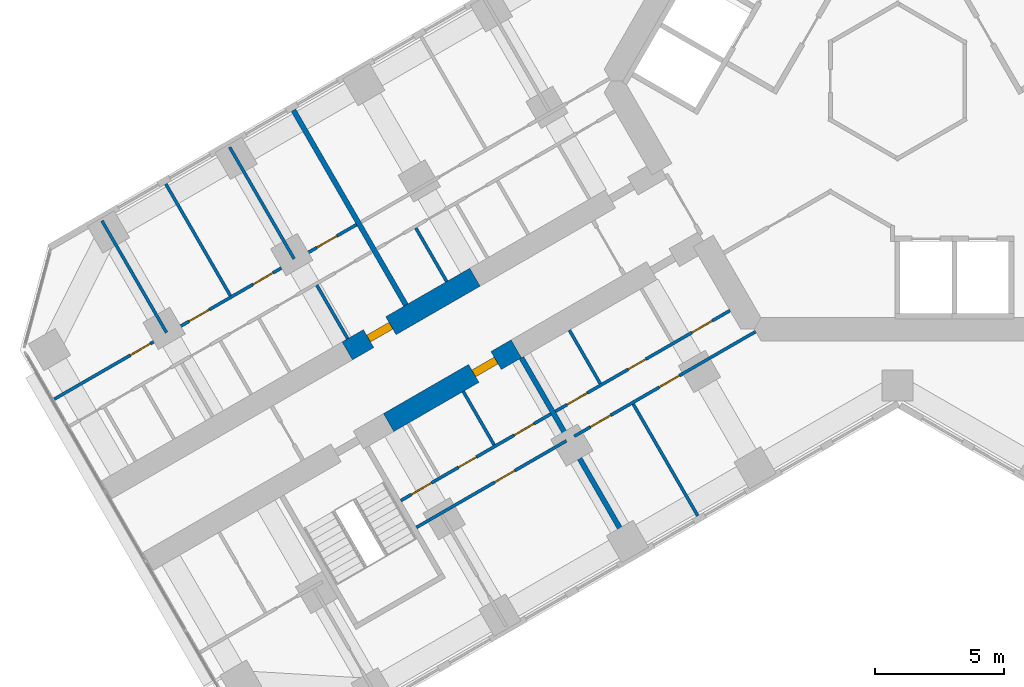
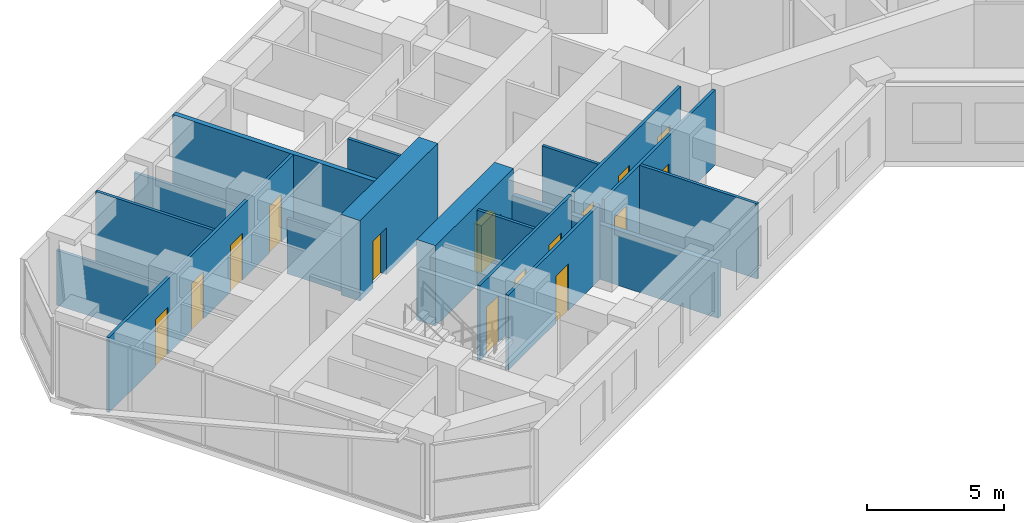
# One storey, part 11 of 20: 17 walls, 15 doors, 15 openings.
"""IFC4 building model written with IfcOpenShell, lengths in metres."""

from ifc_helpers import new_model, si_unit, direction, frame, frame_2d, origin, place, context, subcontext, project, spatial, rectangle, extrude, material, layer, layer_set, type_object, element, fill, save


model = new_model("IFC4")

# Units and contexts
model_context = context("Model", 3, precision=1e-05, world=origin(), true_north=direction((0.0, 1.0)))
body_context = subcontext(model_context, "Body", "Model", "MODEL_VIEW")
ifc_project = project(units=[si_unit("LENGTHUNIT", "METRE"), si_unit("AREAUNIT", "SQUARE_METRE"), si_unit("VOLUMEUNIT", "CUBIC_METRE"), si_unit("PLANEANGLEUNIT", "RADIAN"), si_unit("MASSUNIT", "GRAM", prefix="KILO")], contexts=[model_context])

# Site, building, storey
site_placement = place(None, origin())
site = spatial("IfcSite", under=ifc_project, at=site_placement, CompositionType="ELEMENT")
building_placement = place(site_placement, origin())
building = spatial("IfcBuilding", under=site, at=building_placement, Name="Kosmar Iwan School Tower", CompositionType="ELEMENT")
storey_placement = place(building_placement, frame((0.0, 0.0, 123.800048828125)))
storey = spatial("IfcBuildingStorey", under=building, at=storey_placement, Name="L30", CompositionType="ELEMENT", Elevation=123.800048828125)

# Wall, opening, door
ifc_material_1 = material(Name="Concrete C50/60", Category="concrete")
ifc_layer_1 = layer(ifc_material_1, 0.800048828125)
ifc_layer_set_1 = layer_set([ifc_layer_1], Name="Corridor buttress wall 800")
wall_type_1 = type_object("IfcWallType", Name="Corridor buttress wall 800", PredefinedType="SHEAR", material=ifc_layer_set_1)
wall_1_placement = place(storey_placement, frame((-14.7451171875, -10.360595703125, 0.0), z_axis=(0.0, 0.0, 1.0), x_axis=(-0.866015111908, -0.50001782563, 0.0)))
wall_1 = element("IfcWall", 1, at=wall_1_placement, inside=storey, type_object=wall_type_1, Name="Corridor wall BL bay 2", PredefinedType="SHEAR", context=body_context, shape_type="SweptSolid", body=[
    extrude(rectangle(XDim=5.699951171875, YDim=0.800048828125, at=frame_2d((2.85009765625, 0.0))), origin(), (0.0, 0.0, 1.0), 3.599853515625),
])
opening_1_placement = place(wall_1_placement, frame((0.89990234375, 0.0, 0.0)))
opening_1 = element("IfcOpeningElement", 2, at=opening_1_placement, cuts=wall_1, Name="Opening D1", PredefinedType="OPENING", context=body_context, shape_type="SweptSolid", body=[
    extrude(rectangle(XDim=1.0, YDim=2.10009765625, at=frame_2d((0.5, 1.050048828125))), frame((0.0, 0.412109375, 0.0), z_axis=(0.0, -1.0, 0.0), x_axis=(1.0, 0.0, 0.0)), (0.0, 0.0, 1.0), 0.823974609375),
])
ifc_material_2 = material(Name="Timber fire door in steel frame", Category="steel")
door_type_1 = type_object("IfcDoorType", Name="Flat entrance door 1000x2100", OperationType="SINGLE_SWING_LEFT", PredefinedType="DOOR", material=ifc_material_2)
door_1_placement = place(opening_1_placement, origin())
door_1 = element("IfcDoor", 3, at=door_1_placement, inside=storey, type_object=door_type_1, Name="Flat L30-BL2 entrance door", OperationType="SINGLE_SWING_RIGHT", OverallHeight=2.10009765625, OverallWidth=1.0, PredefinedType="DOOR", context=body_context, shape_type="SweptSolid", body=[
    extrude(rectangle(XDim=1.0, YDim=2.10009765625, at=frame_2d((0.5, 1.050048828125))), frame((0.0, 0.14990234375, 0.0), z_axis=(0.0, -1.0, 0.0), x_axis=(1.0, 0.0, 0.0)), (0.0, 0.0, 1.0), 0.300048828125),
])
fill(opening_1, door_1)

wall_2_placement = place(storey_placement, frame((-16.34521484375, -7.58935546875, 0.0), z_axis=(0.0, 0.0, 1.0), x_axis=(-0.866015111908, -0.50001782563, 0.0)))
wall_2 = element("IfcWall", 4, at=wall_2_placement, inside=storey, type_object=wall_type_1, Name="Corridor wall BR bay 2", PredefinedType="SHEAR", context=body_context, shape_type="SweptSolid", body=[
    extrude(rectangle(XDim=5.699951171875, YDim=0.800048828125, at=frame_2d((2.85009765625, 0.0))), origin(), (0.0, 0.0, 1.0), 3.599853515625),
])
opening_2_placement = place(wall_2_placement, frame((3.75, 0.0, 0.0)))
opening_2 = element("IfcOpeningElement", 5, at=opening_2_placement, cuts=wall_2, Name="Opening D1", PredefinedType="OPENING", context=body_context, shape_type="SweptSolid", body=[
    extrude(rectangle(XDim=1.0, YDim=2.10009765625, at=frame_2d((0.5, 1.050048828125))), frame((0.0, 0.412109375, 0.0), z_axis=(0.0, -1.0, 0.0), x_axis=(1.0, 0.0, 0.0)), (0.0, 0.0, 1.0), 0.823974609375),
])
door_2_placement = place(opening_2_placement, origin())
door_2 = element("IfcDoor", 6, at=door_2_placement, inside=storey, type_object=door_type_1, Name="Flat L30-BR2 entrance door", OperationType="SINGLE_SWING_RIGHT", OverallHeight=2.10009765625, OverallWidth=1.0, PredefinedType="DOOR", context=body_context, shape_type="SweptSolid", body=[
    extrude(rectangle(XDim=1.0, YDim=2.10009765625, at=frame_2d((0.5, 1.050048828125))), frame((0.0, 0.14990234375, 0.0), z_axis=(0.0, -1.0, 0.0), x_axis=(1.0, 0.0, 0.0)), (0.0, 0.0, 1.0), 0.300048828125),
])
fill(opening_2, door_2)

# Wall, openings, doors
ifc_material_3 = material(Name="Gypsum board on steel studs", Category="steel")
ifc_layer_2 = layer(ifc_material_3, 0.1201171875)
ifc_layer_set_2 = layer_set([ifc_layer_2], Name="Dwelling partition 120")
wall_type_2 = type_object("IfcWallType", Name="Dwelling partition 120", PredefinedType="PARTITIONING", material=ifc_layer_set_2)
wall_3_placement = place(storey_placement, frame((-6.478515625, -8.87890625, 0.0), z_axis=(0.0, 0.0, 1.0), x_axis=(-0.866034953203, -0.499983459557, 0.0)))
wall_3 = element("IfcWall", 7, at=wall_3_placement, inside=storey, type_object=wall_type_2, Name="Partition L30-BL1-W1", PredefinedType="PARTITIONING", context=body_context, shape_type="SweptSolid", body=[
    extrude(rectangle(XDim=7.800048828125, YDim=0.1201171875, at=frame_2d((3.89990234375, 0.0))), origin(), (0.0, 0.0, 1.0), 3.349853515625),
])
opening_3_placement = place(wall_3_placement, frame((0.800048828125, 0.0, 0.0)))
opening_3 = element("IfcOpeningElement", 8, at=opening_3_placement, cuts=wall_3, Name="Opening D2", PredefinedType="OPENING", context=body_context, shape_type="SweptSolid", body=[
    extrude(rectangle(XDim=0.89990234375, YDim=2.10009765625, at=frame_2d((0.449951171875, 1.050048828125))), frame((0.0, 0.072021484375, 0.0), z_axis=(0.0, -1.0, 0.0), x_axis=(1.0, 0.0, 0.0)), (0.0, 0.0, 1.0), 0.14404296875),
])
opening_4_placement = place(wall_3_placement, frame((3.755126953125, 0.0, 0.0)))
opening_4 = element("IfcOpeningElement", 9, at=opening_4_placement, cuts=wall_3, Name="Opening D3", PredefinedType="OPENING", context=body_context, shape_type="SweptSolid", body=[
    extrude(rectangle(XDim=0.800048828125, YDim=2.10009765625, at=frame_2d((0.39990234375, 1.050048828125))), frame((0.0, 0.072021484375, 0.0), z_axis=(0.0, -1.0, 0.0), x_axis=(1.0, 0.0, 0.0)), (0.0, 0.0, 1.0), 0.14404296875),
])
opening_5_placement = place(wall_3_placement, frame((6.380126953125, 0.0, 0.0)))
opening_5 = element("IfcOpeningElement", 10, at=opening_5_placement, cuts=wall_3, Name="Opening D2", PredefinedType="OPENING", context=body_context, shape_type="SweptSolid", body=[
    extrude(rectangle(XDim=0.89990234375, YDim=2.10009765625, at=frame_2d((0.449951171875, 1.050048828125))), frame((0.0, 0.072021484375, 0.0), z_axis=(0.0, -1.0, 0.0), x_axis=(1.0, 0.0, 0.0)), (0.0, 0.0, 1.0), 0.14404296875),
])
ifc_material_4 = material(Name="Timber door in timber frame", Category="wood")
door_type_2 = type_object("IfcDoorType", Name="Internal door 900x2100", OperationType="SINGLE_SWING_LEFT", PredefinedType="DOOR", material=ifc_material_4)
door_3_placement = place(opening_3_placement, origin())
door_3 = element("IfcDoor", 11, at=door_3_placement, inside=storey, type_object=door_type_2, Name="Entrance hall door L30-BL1-S1", OperationType="SINGLE_SWING_LEFT", OverallHeight=2.10009765625, OverallWidth=0.89990234375, PredefinedType="DOOR", context=body_context, shape_type="SweptSolid", body=[
    extrude(rectangle(XDim=0.89990234375, YDim=2.10009765625, at=frame_2d((0.449951171875, 1.050048828125))), frame((0.0, 0.02490234375, 0.0), z_axis=(0.0, -1.0, 0.0), x_axis=(1.0, 0.0, 0.0)), (0.0, 0.0, 1.0), 0.050048828125),
])
fill(opening_3, door_3)
door_4_placement = place(opening_5_placement, origin())
door_4 = element("IfcDoor", 12, at=door_4_placement, inside=storey, type_object=door_type_2, Name="Pantry door L30-BL1-S3", OperationType="SINGLE_SWING_RIGHT", OverallHeight=2.10009765625, OverallWidth=0.89990234375, PredefinedType="DOOR", context=body_context, shape_type="SweptSolid", body=[
    extrude(rectangle(XDim=0.89990234375, YDim=2.10009765625, at=frame_2d((0.449951171875, 1.050048828125))), frame((0.0, 0.02490234375, 0.0), z_axis=(0.0, -1.0, 0.0), x_axis=(1.0, 0.0, 0.0)), (0.0, 0.0, 1.0), 0.050048828125),
])
fill(opening_5, door_4)
ifc_material_5 = material(Name="Timber door in timber frame", Category="wood")
door_type_3 = type_object("IfcDoorType", Name="Sanitary room door 800x2100", OperationType="SINGLE_SWING_LEFT", PredefinedType="DOOR", material=ifc_material_5)
door_5_placement = place(opening_4_placement, origin())
door_5 = element("IfcDoor", 13, at=door_5_placement, inside=storey, type_object=door_type_3, Name="Bathroom door L30-BL1-S2", OperationType="SINGLE_SWING_RIGHT", OverallHeight=2.10009765625, OverallWidth=0.800048828125, PredefinedType="DOOR", context=body_context, shape_type="SweptSolid", body=[
    extrude(rectangle(XDim=0.800048828125, YDim=2.10009765625, at=frame_2d((0.39990234375, 1.050048828125))), frame((0.0, 0.02490234375, 0.0), z_axis=(0.0, -1.0, 0.0), x_axis=(1.0, 0.0, 0.0)), (0.0, 0.0, 1.0), 0.050048828125),
])
fill(opening_4, door_5)

wall_4_placement = place(storey_placement, frame((-5.48876953125, -9.693115234375, 0.0), z_axis=(0.0, 0.0, 1.0), x_axis=(-0.866025472755, -0.499999880539, 0.0)))
wall_4 = element("IfcWall", 14, at=wall_4_placement, inside=storey, type_object=wall_type_2, Name="Partition L30-BL1-W2", PredefinedType="PARTITIONING", context=body_context, shape_type="SweptSolid", body=[
    extrude(rectangle(XDim=8.10009765625, YDim=0.1201171875, at=frame_2d((4.050048828125, 0.0))), origin(), (0.0, 0.0, 1.0), 3.349853515625),
])
opening_6_placement = place(wall_4_placement, frame((3.39990234375, 0.0, 0.0)))
opening_6 = element("IfcOpeningElement", 15, at=opening_6_placement, cuts=wall_4, Name="Opening D2", PredefinedType="OPENING", context=body_context, shape_type="SweptSolid", body=[
    extrude(rectangle(XDim=0.89990234375, YDim=2.10009765625, at=frame_2d((0.449951171875, 1.050048828125))), frame((0.0, 0.072021484375, 0.0), z_axis=(0.0, -1.0, 0.0), x_axis=(1.0, 0.0, 0.0)), (0.0, 0.0, 1.0), 0.14404296875),
])
opening_7_placement = place(wall_4_placement, frame((6.47509765625, 0.0, 0.0)))
opening_7 = element("IfcOpeningElement", 16, at=opening_7_placement, cuts=wall_4, Name="Opening D2", PredefinedType="OPENING", context=body_context, shape_type="SweptSolid", body=[
    extrude(rectangle(XDim=0.89990234375, YDim=2.10009765625, at=frame_2d((0.449951171875, 1.050048828125))), frame((0.0, 0.072021484375, 0.0), z_axis=(0.0, -1.0, 0.0), x_axis=(1.0, 0.0, 0.0)), (0.0, 0.0, 1.0), 0.14404296875),
])
door_6_placement = place(opening_6_placement, origin())
door_6 = element("IfcDoor", 17, at=door_6_placement, inside=storey, type_object=door_type_2, Name="Family room and kitchen door L30-BL1-F1", OperationType="SINGLE_SWING_RIGHT", OverallHeight=2.10009765625, OverallWidth=0.89990234375, PredefinedType="DOOR", context=body_context, shape_type="SweptSolid", body=[
    extrude(rectangle(XDim=0.89990234375, YDim=2.10009765625, at=frame_2d((0.449951171875, 1.050048828125))), frame((0.0, 0.02490234375, 0.0), z_axis=(0.0, -1.0, 0.0), x_axis=(1.0, 0.0, 0.0)), (0.0, 0.0, 1.0), 0.050048828125),
])
fill(opening_6, door_6)
door_7_placement = place(opening_7_placement, origin())
door_7 = element("IfcDoor", 18, at=door_7_placement, inside=storey, type_object=door_type_2, Name="Bedroom 1 door L30-BL1-F2", OperationType="SINGLE_SWING_RIGHT", OverallHeight=2.10009765625, OverallWidth=0.89990234375, PredefinedType="DOOR", context=body_context, shape_type="SweptSolid", body=[
    extrude(rectangle(XDim=0.89990234375, YDim=2.10009765625, at=frame_2d((0.449951171875, 1.050048828125))), frame((0.0, 0.02490234375, 0.0), z_axis=(0.0, -1.0, 0.0), x_axis=(1.0, 0.0, 0.0)), (0.0, 0.0, 1.0), 0.050048828125),
])
fill(opening_7, door_7)

# Walls
wall_5_placement = place(storey_placement, frame((-10.221923828125, -12.4951171875, 0.0), z_axis=(0.0, 0.0, 1.0), x_axis=(0.499996339024, -0.86602751744, 0.0)))
element("IfcWall", 19, at=wall_5_placement, inside=storey, type_object=wall_type_2, Name="Partition L30-BL1-X1", PredefinedType="PARTITIONING", context=body_context, shape_type="SweptSolid", body=[
    extrude(rectangle(XDim=4.98974609375, YDim=0.1201171875, at=frame_2d((2.494873046875, 0.0))), origin(), (0.0, 0.0, 1.0), 3.349853515625),
])
wall_6_placement = place(storey_placement, frame((-12.69189453125, -9.636962890625, 0.0), z_axis=(0.0, 0.0, 1.0), x_axis=(0.500017192868, -0.86601547725, 0.0)))
element("IfcWall", 20, at=wall_6_placement, inside=storey, type_object=wall_type_2, Name="Partition L30-BL1-Y2", PredefinedType="PARTITIONING", context=body_context, shape_type="SweptSolid", body=[
    extrude(rectangle(XDim=2.39013671875, YDim=0.1201171875, at=frame_2d((1.195068359375, 0.0))), origin(), (0.0, 0.0, 1.0), 3.349853515625),
])

# Wall, openings, doors
wall_7_placement = place(storey_placement, frame((-13.40673828125, -12.87890625, 0.0), z_axis=(0.0, 0.0, 1.0), x_axis=(-0.866039349182, -0.499975845085, 0.0)))
wall_7 = element("IfcWall", 21, at=wall_7_placement, inside=storey, type_object=wall_type_2, Name="Partition L30-BL2-W1", PredefinedType="PARTITIONING", context=body_context, shape_type="SweptSolid", body=[
    extrude(rectangle(XDim=6.699951171875, YDim=0.1201171875, at=frame_2d((3.35009765625, 0.0))), origin(), (0.0, 0.0, 1.0), 3.349853515625),
])
opening_8_placement = place(wall_7_placement, frame((0.75, 0.0, 0.0)))
opening_8 = element("IfcOpeningElement", 22, at=opening_8_placement, cuts=wall_7, Name="Opening D2", PredefinedType="OPENING", context=body_context, shape_type="SweptSolid", body=[
    extrude(rectangle(XDim=0.89990234375, YDim=2.10009765625, at=frame_2d((0.449951171875, 1.050048828125))), frame((0.0, 0.072021484375, 0.0), z_axis=(0.0, -1.0, 0.0), x_axis=(1.0, 0.0, 0.0)), (0.0, 0.0, 1.0), 0.14404296875),
])
opening_9_placement = place(wall_7_placement, frame((3.330078125, 0.0, 0.0)))
opening_9 = element("IfcOpeningElement", 23, at=opening_9_placement, cuts=wall_7, Name="Opening D3", PredefinedType="OPENING", context=body_context, shape_type="SweptSolid", body=[
    extrude(rectangle(XDim=0.800048828125, YDim=2.10009765625, at=frame_2d((0.39990234375, 1.050048828125))), frame((0.0, 0.072021484375, 0.0), z_axis=(0.0, -1.0, 0.0), x_axis=(1.0, 0.0, 0.0)), (0.0, 0.0, 1.0), 0.14404296875),
])
opening_10_placement = place(wall_7_placement, frame((5.330078125, 0.0, 0.0)))
opening_10 = element("IfcOpeningElement", 24, at=opening_10_placement, cuts=wall_7, Name="Opening D2", PredefinedType="OPENING", context=body_context, shape_type="SweptSolid", body=[
    extrude(rectangle(XDim=0.89990234375, YDim=2.10009765625, at=frame_2d((0.449951171875, 1.050048828125))), frame((0.0, 0.072021484375, 0.0), z_axis=(0.0, -1.0, 0.0), x_axis=(1.0, 0.0, 0.0)), (0.0, 0.0, 1.0), 0.14404296875),
])
door_8_placement = place(opening_8_placement, origin())
door_8 = element("IfcDoor", 25, at=door_8_placement, inside=storey, type_object=door_type_2, Name="Entrance hall door L30-BL2-S1", OperationType="SINGLE_SWING_LEFT", OverallHeight=2.10009765625, OverallWidth=0.89990234375, PredefinedType="DOOR", context=body_context, shape_type="SweptSolid", body=[
    extrude(rectangle(XDim=0.89990234375, YDim=2.10009765625, at=frame_2d((0.449951171875, 1.050048828125))), frame((0.0, 0.02490234375, 0.0), z_axis=(0.0, -1.0, 0.0), x_axis=(1.0, 0.0, 0.0)), (0.0, 0.0, 1.0), 0.050048828125),
])
fill(opening_8, door_8)
door_9_placement = place(opening_10_placement, frame((0.89990234375, 0.0, 0.0), z_axis=(0.0, 0.0, 1.0), x_axis=(-1.0, 0.0, 0.0)))
door_9 = element("IfcDoor", 26, at=door_9_placement, inside=storey, type_object=door_type_2, Name="Pantry door L30-BL2-S3", OperationType="SINGLE_SWING_LEFT", OverallHeight=2.10009765625, OverallWidth=0.89990234375, PredefinedType="DOOR", context=body_context, shape_type="SweptSolid", body=[
    extrude(rectangle(XDim=0.89990234375, YDim=2.10009765625, at=frame_2d((0.449951171875, 1.050048828125))), frame((0.0, 0.02490234375, 0.0), z_axis=(0.0, -1.0, 0.0), x_axis=(1.0, 0.0, 0.0)), (0.0, 0.0, 1.0), 0.050048828125),
])
fill(opening_10, door_9)
door_10_placement = place(opening_9_placement, origin())
door_10 = element("IfcDoor", 27, at=door_10_placement, inside=storey, type_object=door_type_3, Name="Bathroom door L30-BL2-S2", OperationType="SINGLE_SWING_RIGHT", OverallHeight=2.10009765625, OverallWidth=0.800048828125, PredefinedType="DOOR", context=body_context, shape_type="SweptSolid", body=[
    extrude(rectangle(XDim=0.800048828125, YDim=2.10009765625, at=frame_2d((0.39990234375, 1.050048828125))), frame((0.0, 0.02490234375, 0.0), z_axis=(0.0, -1.0, 0.0), x_axis=(1.0, 0.0, 0.0)), (0.0, 0.0, 1.0), 0.050048828125),
])
fill(opening_9, door_10)

# Wall, opening, door
wall_8_placement = place(storey_placement, frame((-12.806640625, -13.91796875, 0.0), z_axis=(0.0, 0.0, 1.0), x_axis=(-0.866023571113, -0.500003174267, 0.0)))
wall_8 = element("IfcWall", 28, at=wall_8_placement, inside=storey, type_object=wall_type_2, Name="Partition L30-BL2-W2", PredefinedType="PARTITIONING", context=body_context, shape_type="SweptSolid", body=[
    extrude(rectangle(XDim=6.7001953125, YDim=0.1201171875, at=frame_2d((3.35009765625, 0.0))), origin(), (0.0, 0.0, 1.0), 3.349853515625),
])
opening_11_placement = place(wall_8_placement, frame((2.300048828125, 0.0, 0.0)))
opening_11 = element("IfcOpeningElement", 29, at=opening_11_placement, cuts=wall_8, Name="Opening D2", PredefinedType="OPENING", context=body_context, shape_type="SweptSolid", body=[
    extrude(rectangle(XDim=0.89990234375, YDim=2.10009765625, at=frame_2d((0.449951171875, 1.050048828125))), frame((0.0, 0.072021484375, 0.0), z_axis=(0.0, -1.0, 0.0), x_axis=(1.0, 0.0, 0.0)), (0.0, 0.0, 1.0), 0.14404296875),
])
door_11_placement = place(opening_11_placement, origin())
door_11 = element("IfcDoor", 30, at=door_11_placement, inside=storey, type_object=door_type_2, Name="Studio living room and kitchen door L30-BL2-F1", OperationType="SINGLE_SWING_LEFT", OverallHeight=2.10009765625, OverallWidth=0.89990234375, PredefinedType="DOOR", context=body_context, shape_type="SweptSolid", body=[
    extrude(rectangle(XDim=0.89990234375, YDim=2.10009765625, at=frame_2d((0.449951171875, 1.050048828125))), frame((0.0, 0.02490234375, 0.0), z_axis=(0.0, -1.0, 0.0), x_axis=(1.0, 0.0, 0.0)), (0.0, 0.0, 1.0), 0.050048828125),
])
fill(opening_11, door_11)

# Walls
wall_9_placement = place(storey_placement, frame((-16.796875, -12.007080078125, 0.0), z_axis=(0.0, 0.0, 1.0), x_axis=(0.500017192868, -0.86601547725, 0.0)))
element("IfcWall", 31, at=wall_9_placement, inside=storey, type_object=wall_type_2, Name="Partition L30-BL2-Y1", PredefinedType="PARTITIONING", context=body_context, shape_type="SweptSolid", body=[
    extrude(rectangle(XDim=2.39013671875, YDim=0.1201171875, at=frame_2d((1.195068359375, 0.0))), origin(), (0.0, 0.0, 1.0), 3.349853515625),
])
wall_10_placement = place(storey_placement, frame((-17.435302734375, -7.7568359375, 0.0), z_axis=(0.0, 0.0, 1.0), x_axis=(-0.499940577336, 0.866059708757, 0.0)))
element("IfcWall", 32, at=wall_10_placement, inside=storey, type_object=wall_type_2, Name="Partition L30-BR1-Y4", PredefinedType="PARTITIONING", context=body_context, shape_type="SweptSolid", body=[
    extrude(rectangle(XDim=2.389892578125, YDim=0.1201171875, at=frame_2d((1.19482421875, 0.0))), origin(), (0.0, 0.0, 1.0), 3.349853515625),
])

# Wall, openings, doors
wall_11_placement = place(storey_placement, frame((-20.9248046875, -5.556884765625, 0.0), z_axis=(0.0, 0.0, 1.0), x_axis=(-0.866028025956, -0.499995458239, 0.0)))
wall_11 = element("IfcWall", 33, at=wall_11_placement, inside=storey, type_object=wall_type_2, Name="Partition L30-BR2-W2", PredefinedType="PARTITIONING", context=body_context, shape_type="SweptSolid", body=[
    extrude(rectangle(XDim=13.495361328125, YDim=0.1201171875, at=frame_2d((6.74755859375, 0.0))), origin(), (0.0, 0.0, 1.0), 3.349853515625),
])
opening_12_placement = place(wall_11_placement, frame((0.875, 0.0, 0.0)))
opening_12 = element("IfcOpeningElement", 34, at=opening_12_placement, cuts=wall_11, Name="Opening D2", PredefinedType="OPENING", context=body_context, shape_type="SweptSolid", body=[
    extrude(rectangle(XDim=0.89990234375, YDim=2.10009765625, at=frame_2d((0.449951171875, 1.050048828125))), frame((0.0, 0.072021484375, 0.0), z_axis=(0.0, -1.0, 0.0), x_axis=(1.0, 0.0, 0.0)), (0.0, 0.0, 1.0), 0.14404296875),
])
opening_13_placement = place(wall_11_placement, frame((3.72509765625, 0.0, 0.0)))
opening_13 = element("IfcOpeningElement", 35, at=opening_13_placement, cuts=wall_11, Name="Opening D2", PredefinedType="OPENING", context=body_context, shape_type="SweptSolid", body=[
    extrude(rectangle(XDim=0.89990234375, YDim=2.10009765625, at=frame_2d((0.449951171875, 1.050048828125))), frame((0.0, 0.072021484375, 0.0), z_axis=(0.0, -1.0, 0.0), x_axis=(1.0, 0.0, 0.0)), (0.0, 0.0, 1.0), 0.14404296875),
])
opening_14_placement = place(wall_11_placement, frame((6.574951171875, 0.0, 0.0)))
opening_14 = element("IfcOpeningElement", 36, at=opening_14_placement, cuts=wall_11, Name="Opening D2", PredefinedType="OPENING", context=body_context, shape_type="SweptSolid", body=[
    extrude(rectangle(XDim=0.89990234375, YDim=2.10009765625, at=frame_2d((0.449951171875, 1.050048828125))), frame((0.0, 0.072021484375, 0.0), z_axis=(0.0, -1.0, 0.0), x_axis=(1.0, 0.0, 0.0)), (0.0, 0.0, 1.0), 0.14404296875),
])
opening_15_placement = place(wall_11_placement, frame((9.199951171875, 0.0, 0.0)))
opening_15 = element("IfcOpeningElement", 37, at=opening_15_placement, cuts=wall_11, Name="Opening D2", PredefinedType="OPENING", context=body_context, shape_type="SweptSolid", body=[
    extrude(rectangle(XDim=0.89990234375, YDim=2.10009765625, at=frame_2d((0.449951171875, 1.050048828125))), frame((0.0, 0.072021484375, 0.0), z_axis=(0.0, -1.0, 0.0), x_axis=(1.0, 0.0, 0.0)), (0.0, 0.0, 1.0), 0.14404296875),
])
door_12_placement = place(opening_12_placement, origin())
door_12 = element("IfcDoor", 38, at=door_12_placement, inside=storey, type_object=door_type_2, Name="Bedroom 1 door L30-BR2-F1", OperationType="SINGLE_SWING_LEFT", OverallHeight=2.10009765625, OverallWidth=0.89990234375, PredefinedType="DOOR", context=body_context, shape_type="SweptSolid", body=[
    extrude(rectangle(XDim=0.89990234375, YDim=2.10009765625, at=frame_2d((0.449951171875, 1.050048828125))), frame((0.0, 0.02490234375, 0.0), z_axis=(0.0, -1.0, 0.0), x_axis=(1.0, 0.0, 0.0)), (0.0, 0.0, 1.0), 0.050048828125),
])
fill(opening_12, door_12)
door_13_placement = place(opening_13_placement, origin())
door_13 = element("IfcDoor", 39, at=door_13_placement, inside=storey, type_object=door_type_2, Name="Kitchen and dining room door L30-BR2-F2", OperationType="SINGLE_SWING_LEFT", OverallHeight=2.10009765625, OverallWidth=0.89990234375, PredefinedType="DOOR", context=body_context, shape_type="SweptSolid", body=[
    extrude(rectangle(XDim=0.89990234375, YDim=2.10009765625, at=frame_2d((0.449951171875, 1.050048828125))), frame((0.0, 0.02490234375, 0.0), z_axis=(0.0, -1.0, 0.0), x_axis=(1.0, 0.0, 0.0)), (0.0, 0.0, 1.0), 0.050048828125),
])
fill(opening_13, door_13)
door_14_placement = place(opening_14_placement, origin())
door_14 = element("IfcDoor", 40, at=door_14_placement, inside=storey, type_object=door_type_2, Name="Bedroom 2 door L30-BR2-F3", OperationType="SINGLE_SWING_RIGHT", OverallHeight=2.10009765625, OverallWidth=0.89990234375, PredefinedType="DOOR", context=body_context, shape_type="SweptSolid", body=[
    extrude(rectangle(XDim=0.89990234375, YDim=2.10009765625, at=frame_2d((0.449951171875, 1.050048828125))), frame((0.0, 0.02490234375, 0.0), z_axis=(0.0, -1.0, 0.0), x_axis=(1.0, 0.0, 0.0)), (0.0, 0.0, 1.0), 0.050048828125),
])
fill(opening_14, door_14)
door_15_placement = place(opening_15_placement, origin())
door_15 = element("IfcDoor", 41, at=door_15_placement, inside=storey, type_object=door_type_2, Name="Living room door L30-BR2-F4", OperationType="SINGLE_SWING_RIGHT", OverallHeight=2.10009765625, OverallWidth=0.89990234375, PredefinedType="DOOR", context=body_context, shape_type="SweptSolid", body=[
    extrude(rectangle(XDim=0.89990234375, YDim=2.10009765625, at=frame_2d((0.449951171875, 1.050048828125))), frame((0.0, 0.02490234375, 0.0), z_axis=(0.0, -1.0, 0.0), x_axis=(1.0, 0.0, 0.0)), (0.0, 0.0, 1.0), 0.050048828125),
])
fill(opening_15, door_15)

# Walls
wall_12_placement = place(storey_placement, frame((-23.33642578125, -6.8798828125, 0.0), z_axis=(0.0, 0.0, 1.0), x_axis=(-0.500033033937, 0.866006330792, 0.0)))
element("IfcWall", 42, at=wall_12_placement, inside=storey, type_object=wall_type_2, Name="Partition L30-BR2-X1", PredefinedType="PARTITIONING", context=body_context, shape_type="SweptSolid", body=[
    extrude(rectangle(XDim=4.989990234375, YDim=0.1201171875, at=frame_2d((2.4951171875, 0.0))), origin(), (0.0, 0.0, 1.0), 2.449951171875),
])
wall_13_placement = place(storey_placement, frame((-25.8046875, -8.304931640625, 0.0), z_axis=(0.0, 0.0, 1.0), x_axis=(-0.499975153383, 0.86603974851, 0.0)))
element("IfcWall", 43, at=wall_13_placement, inside=storey, type_object=wall_type_2, Name="Partition L30-BR2-X2", PredefinedType="PARTITIONING", context=body_context, shape_type="SweptSolid", body=[
    extrude(rectangle(XDim=4.989990234375, YDim=0.1201171875, at=frame_2d((2.4951171875, 0.0))), origin(), (0.0, 0.0, 1.0), 3.349853515625),
])
wall_14_placement = place(storey_placement, frame((-28.27294921875, -9.72998046875, 0.0), z_axis=(0.0, 0.0, 1.0), x_axis=(-0.499975153383, 0.86603974851, 0.0)))
element("IfcWall", 44, at=wall_14_placement, inside=storey, type_object=wall_type_2, Name="Partition L30-BR2-X3", PredefinedType="PARTITIONING", context=body_context, shape_type="SweptSolid", body=[
    extrude(rectangle(XDim=4.989990234375, YDim=0.1201171875, at=frame_2d((2.4951171875, 0.0))), origin(), (0.0, 0.0, 1.0), 2.449951171875),
])
wall_15_placement = place(storey_placement, frame((-21.264892578125, -9.968017578125, 0.0), z_axis=(0.0, 0.0, 1.0), x_axis=(-0.500017192868, 0.86601547725, 0.0)))
element("IfcWall", 45, at=wall_15_placement, inside=storey, type_object=wall_type_2, Name="Partition L30-BR2-Y1", PredefinedType="PARTITIONING", context=body_context, shape_type="SweptSolid", body=[
    extrude(rectangle(XDim=2.39013671875, YDim=0.1201171875, at=frame_2d((1.195068359375, 0.0))), origin(), (0.0, 0.0, 1.0), 2.449951171875),
])
ifc_material_6 = material(Name="Concrete block masonry", Category="masonry")
ifc_layer_3 = layer(ifc_material_6, 0.199951171875)
ifc_layer_set_3 = layer_set([ifc_layer_3], Name="Party wall 200")
wall_type_3 = type_object("IfcWallType", Name="Party wall 200", PredefinedType="PARTITIONING", material=ifc_layer_set_3)
wall_16_placement = place(storey_placement, frame((-14.545166015625, -10.70703125, 0.0), z_axis=(0.0, 0.0, 1.0), x_axis=(0.500008278454, -0.866020624164, 0.0)))
element("IfcWall", 46, at=wall_16_placement, inside=storey, type_object=wall_type_3, Name="Partition L30-BL2-PW", PredefinedType="PARTITIONING", context=body_context, shape_type="SweptSolid", body=[
    extrude(rectangle(XDim=8.699951171875, YDim=0.199951171875, at=frame_2d((4.35009765625, 0.0))), origin(), (0.0, 0.0, 1.0), 2.449951171875),
])
wall_17_placement = place(storey_placement, frame((-19.013427734375, -8.66796875, 0.0), z_axis=(0.0, 0.0, 1.0), x_axis=(-0.499987231761, 0.866032775405, 0.0)))
element("IfcWall", 47, at=wall_17_placement, inside=storey, type_object=wall_type_3, Name="Partition L30-BR2-PW", PredefinedType="PARTITIONING", context=body_context, shape_type="SweptSolid", body=[
    extrude(rectangle(XDim=8.699951171875, YDim=0.199951171875, at=frame_2d((4.35009765625, 0.0))), origin(), (0.0, 0.0, 1.0), 3.349853515625),
])

save(model, "model.ifc")
